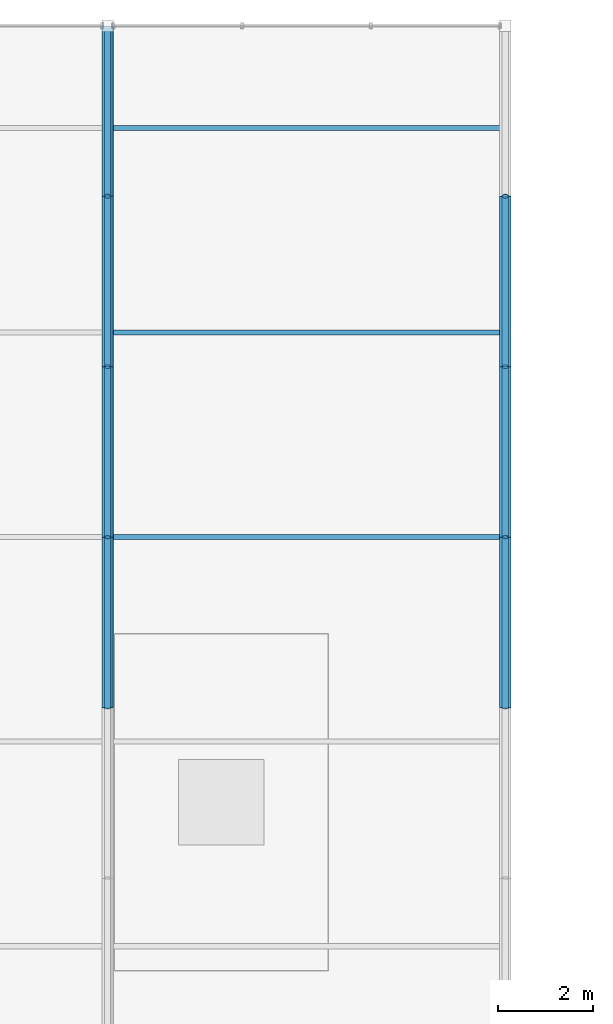
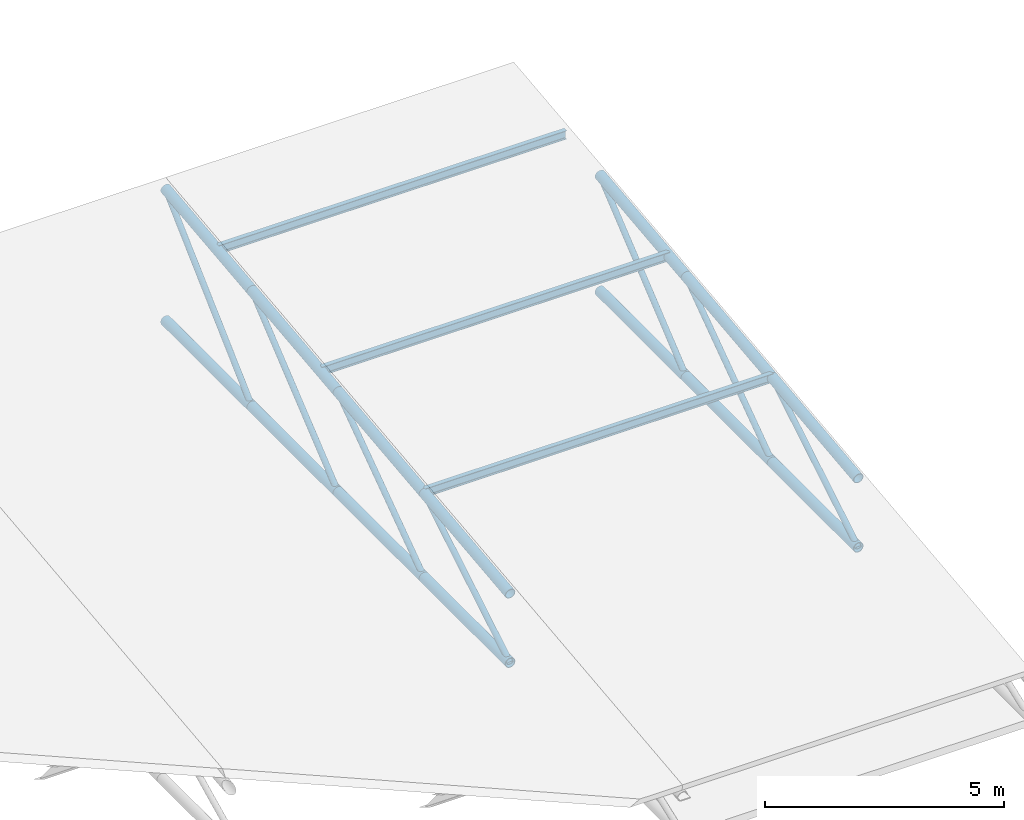
# One storey, part 52 of 77: 21 members, 3 beams.
"""IFC4 building model written with IfcOpenShell, lengths in metres."""

from ifc_helpers import new_model, si_unit, derived_unit, direction, frame, origin, origin_2d, place, context, subcontext, project, spatial, hollow_circle, i_section, extrude, material, material_profile, profile_set, type_object, element, save


model = new_model("IFC4")

# Units and contexts
model_context = context("Model", 3, precision=1e-05, world=origin(), true_north=direction((0.0, 1.0)))
body_context = subcontext(model_context, "Body", "Model", "MODEL_VIEW")
ifc_project = project(units=[si_unit("LENGTHUNIT", "METRE"), si_unit("AREAUNIT", "SQUARE_METRE"), si_unit("VOLUMEUNIT", "CUBIC_METRE"), si_unit("PLANEANGLEUNIT", "RADIAN"), si_unit("MASSUNIT", "GRAM", prefix="KILO"), derived_unit("THERMALTRANSMITTANCEUNIT", [(si_unit("MASSUNIT", "GRAM", prefix="KILO"), 1), (si_unit("TIMEUNIT", "SECOND"), -3), (si_unit("THERMODYNAMICTEMPERATUREUNIT", "KELVIN"), -1)])], contexts=[model_context])

# Site, building, storey
site_placement = place(None, origin())
site = spatial("IfcSite", under=ifc_project, at=site_placement, CompositionType="ELEMENT")
building_placement = place(site_placement, origin())
building = spatial("IfcBuilding", under=site, at=building_placement, Name="Kharveza Railside Sports Centre", CompositionType="ELEMENT")
storey_placement = place(building_placement, frame((0.0, 0.0, 17.10009765625)))
storey = spatial("IfcBuildingStorey", under=building, at=storey_placement, Name="L04", CompositionType="ELEMENT", Elevation=17.10009765625)

# Beams
ifc_material_1 = material(Name="Steel S275JR", Category="steel")
ifc_material_profile_1 = material_profile(ifc_material_1, i_section(OverallWidth=0.110107421875, OverallDepth=0.219970703125, WebThickness=0.005859375, FlangeThickness=0.00927734375, FilletRadius=0.011962890625, at=origin_2d()), Name="IPE 220")
ifc_profile_set_1 = profile_set([ifc_material_profile_1], Name="Steel S275JR")
beam_type = type_object("IfcBeamType", Name="BM-J02", PredefinedType="JOIST", material=ifc_profile_set_1)
for number, where, z_axis, x_axis, name in (
    (1, (16.800048828125, 97.199951171875, 2.1748046875), (1.0, 0.0, 0.0), (0.0, 1.0, 0.0), "BM-V3PUR-3-3"),
    (2, (16.800048828125, 101.52001953125, 2.65478515625), (1.0, 0.0, 0.0), (0.0, 1.0, 0.0), "BM-V3PUR-3-4"),
    (3, (16.800048828125, 105.840087890625, 3.135009765625), (1.0, 0.0, 0.0), (0.0, 1.0, 0.0), "BM-V3PUR-3-5"),
):
    element("IfcBeam", number, at=place(storey_placement, frame(where, z_axis=z_axis, x_axis=x_axis)), inside=storey, type_object=beam_type, Name=name, PredefinedType="JOIST", context=body_context, shape_type="SweptSolid", body=[
        extrude(i_section(OverallWidth=0.110107421875, OverallDepth=0.219970703125, WebThickness=0.005859375, FlangeThickness=0.00927734375, FilletRadius=0.011962890625, at=origin_2d()), origin(), (0.0, 0.0, 1.0), 8.39990234375),
    ])

# Members
ifc_material_2 = material(Name="Steel S355J2", Category="steel")
ifc_material_profile_2 = material_profile(ifc_material_2, hollow_circle(Radius=0.122314453125, WallThickness=0.012451171875, at=origin_2d()), Name="CHS 244.5x12.5")
ifc_profile_set_2 = profile_set([ifc_material_profile_2], Name="Steel S355J2")
member_type_1 = type_object("IfcMemberType", Name="MB-CH04", PredefinedType="CHORD", material=ifc_profile_set_2)
member_1_placement = place(storey_placement, frame((16.800048828125, 93.60009765625, 0.0), z_axis=(0.0, 1.0, 0.0), x_axis=(-1.0, 0.0, 0.0)))
element("IfcMember", 4, at=member_1_placement, inside=storey, type_object=member_type_1, Name="MB-V3TR-BC-3-3", PredefinedType="CHORD", context=body_context, shape_type="SweptSolid", body=[
    extrude(hollow_circle(Radius=0.122314453125, WallThickness=0.012451171875, at=origin_2d()), origin(), (0.0, 0.0, 1.0), 3.599853515625),
])
member_2_placement = place(storey_placement, frame((16.800048828125, 93.60009765625, 1.760009765625), z_axis=(0.0, 0.993886200461, 0.11040933173), x_axis=(-1.0, 0.0, 0.0)))
element("IfcMember", 5, at=member_2_placement, inside=storey, type_object=member_type_1, Name="MB-V3TR-TC-3-3", PredefinedType="CHORD", context=body_context, shape_type="SweptSolid", body=[
    extrude(hollow_circle(Radius=0.122314453125, WallThickness=0.012451171875, at=origin_2d()), origin(), (0.0, 0.0, 1.0), 3.6220703125),
])
member_3_placement = place(storey_placement, frame((16.800048828125, 97.199951171875, 0.0), z_axis=(0.0, 1.0, 0.0), x_axis=(-1.0, 0.0, 0.0)))
element("IfcMember", 6, at=member_3_placement, inside=storey, type_object=member_type_1, Name="MB-V3TR-BC-3-4", PredefinedType="CHORD", context=body_context, shape_type="SweptSolid", body=[
    extrude(hollow_circle(Radius=0.122314453125, WallThickness=0.012451171875, at=origin_2d()), origin(), (0.0, 0.0, 1.0), 3.60009765625),
])
member_4_placement = place(storey_placement, frame((16.800048828125, 97.199951171875, 2.159912109375), z_axis=(0.0, 0.99388702206, 0.110401935585), x_axis=(-1.0, 0.0, 0.0)))
element("IfcMember", 7, at=member_4_placement, inside=storey, type_object=member_type_1, Name="MB-V3TR-TC-3-4", PredefinedType="CHORD", context=body_context, shape_type="SweptSolid", body=[
    extrude(hollow_circle(Radius=0.122314453125, WallThickness=0.012451171875, at=origin_2d()), origin(), (0.0, 0.0, 1.0), 3.622314453125),
])
member_5_placement = place(storey_placement, frame((16.800048828125, 100.800048828125, 0.0), z_axis=(0.0, 1.0, 0.0), x_axis=(-1.0, 0.0, 0.0)))
element("IfcMember", 8, at=member_5_placement, inside=storey, type_object=member_type_1, Name="MB-V3TR-BC-3-5", PredefinedType="CHORD", context=body_context, shape_type="SweptSolid", body=[
    extrude(hollow_circle(Radius=0.122314453125, WallThickness=0.012451171875, at=origin_2d()), origin(), (0.0, 0.0, 1.0), 3.599853515625),
])
member_6_placement = place(storey_placement, frame((16.800048828125, 100.800048828125, 2.559814453125), z_axis=(0.0, 0.993878801649, 0.110475914269), x_axis=(-1.0, 0.0, 0.0)))
element("IfcMember", 9, at=member_6_placement, inside=storey, type_object=member_type_1, Name="MB-V3TR-TC-3-5", PredefinedType="CHORD", context=body_context, shape_type="SweptSolid", body=[
    extrude(hollow_circle(Radius=0.122314453125, WallThickness=0.012451171875, at=origin_2d()), origin(), (0.0, 0.0, 1.0), 3.6220703125),
])
member_7_placement = place(storey_placement, frame((16.800048828125, 104.39990234375, 0.0), z_axis=(0.0, 1.0, 0.0), x_axis=(-1.0, 0.0, 0.0)))
element("IfcMember", 10, at=member_7_placement, inside=storey, type_object=member_type_1, Name="MB-V3TR-BC-3-6", PredefinedType="CHORD", context=body_context, shape_type="SweptSolid", body=[
    extrude(hollow_circle(Radius=0.122314453125, WallThickness=0.012451171875, at=origin_2d()), origin(), (0.0, 0.0, 1.0), 3.60009765625),
])
member_8_placement = place(storey_placement, frame((16.800048828125, 104.39990234375, 2.9599609375), z_axis=(0.0, 0.99388702206, 0.110401935585), x_axis=(-1.0, 0.0, 0.0)))
element("IfcMember", 11, at=member_8_placement, inside=storey, type_object=member_type_1, Name="MB-V3TR-TC-3-6", PredefinedType="CHORD", context=body_context, shape_type="SweptSolid", body=[
    extrude(hollow_circle(Radius=0.122314453125, WallThickness=0.012451171875, at=origin_2d()), origin(), (0.0, 0.0, 1.0), 3.622314453125),
])
member_9_placement = place(storey_placement, frame((25.199951171875, 93.60009765625, 0.0), z_axis=(0.0, 1.0, 0.0), x_axis=(-1.0, 0.0, 0.0)))
element("IfcMember", 12, at=member_9_placement, inside=storey, type_object=member_type_1, Name="MB-V3TR-BC-4-3", PredefinedType="CHORD", context=body_context, shape_type="SweptSolid", body=[
    extrude(hollow_circle(Radius=0.122314453125, WallThickness=0.012451171875, at=origin_2d()), origin(), (0.0, 0.0, 1.0), 3.599853515625),
])
member_10_placement = place(storey_placement, frame((25.199951171875, 93.60009765625, 1.760009765625), z_axis=(0.0, 0.993886200461, 0.11040933173), x_axis=(-1.0, 0.0, 0.0)))
element("IfcMember", 13, at=member_10_placement, inside=storey, type_object=member_type_1, Name="MB-V3TR-TC-4-3", PredefinedType="CHORD", context=body_context, shape_type="SweptSolid", body=[
    extrude(hollow_circle(Radius=0.122314453125, WallThickness=0.012451171875, at=origin_2d()), origin(), (0.0, 0.0, 1.0), 3.6220703125),
])
member_11_placement = place(storey_placement, frame((25.199951171875, 97.199951171875, 0.0), z_axis=(0.0, 1.0, 0.0), x_axis=(-1.0, 0.0, 0.0)))
element("IfcMember", 14, at=member_11_placement, inside=storey, type_object=member_type_1, Name="MB-V3TR-BC-4-4", PredefinedType="CHORD", context=body_context, shape_type="SweptSolid", body=[
    extrude(hollow_circle(Radius=0.122314453125, WallThickness=0.012451171875, at=origin_2d()), origin(), (0.0, 0.0, 1.0), 3.60009765625),
])
member_12_placement = place(storey_placement, frame((25.199951171875, 97.199951171875, 2.159912109375), z_axis=(0.0, 0.99388702206, 0.110401935585), x_axis=(-1.0, 0.0, 0.0)))
element("IfcMember", 15, at=member_12_placement, inside=storey, type_object=member_type_1, Name="MB-V3TR-TC-4-4", PredefinedType="CHORD", context=body_context, shape_type="SweptSolid", body=[
    extrude(hollow_circle(Radius=0.122314453125, WallThickness=0.012451171875, at=origin_2d()), origin(), (0.0, 0.0, 1.0), 3.622314453125),
])
member_13_placement = place(storey_placement, frame((25.199951171875, 100.800048828125, 0.0), z_axis=(0.0, 1.0, 0.0), x_axis=(-1.0, 0.0, 0.0)))
element("IfcMember", 16, at=member_13_placement, inside=storey, type_object=member_type_1, Name="MB-V3TR-BC-4-5", PredefinedType="CHORD", context=body_context, shape_type="SweptSolid", body=[
    extrude(hollow_circle(Radius=0.122314453125, WallThickness=0.012451171875, at=origin_2d()), origin(), (0.0, 0.0, 1.0), 3.599853515625),
])
member_14_placement = place(storey_placement, frame((25.199951171875, 100.800048828125, 2.559814453125), z_axis=(0.0, 0.993878801649, 0.110475914269), x_axis=(-1.0, 0.0, 0.0)))
element("IfcMember", 17, at=member_14_placement, inside=storey, type_object=member_type_1, Name="MB-V3TR-TC-4-5", PredefinedType="CHORD", context=body_context, shape_type="SweptSolid", body=[
    extrude(hollow_circle(Radius=0.122314453125, WallThickness=0.012451171875, at=origin_2d()), origin(), (0.0, 0.0, 1.0), 3.6220703125),
])
ifc_material_profile_3 = material_profile(ifc_material_2, hollow_circle(Radius=0.06982421875, WallThickness=0.008056640625, at=origin_2d()), Name="CHS 139.7x8.0")
ifc_profile_set_3 = profile_set([ifc_material_profile_3], Name="Steel S355J2")
member_type_2 = type_object("IfcMemberType", Name="MB-ST04", PredefinedType="STRUT", material=ifc_profile_set_3)
member_15_placement = place(storey_placement, frame((16.800048828125, 93.60009765625, 0.0), z_axis=(0.0, 0.857492925713, 0.514495755428), x_axis=(-1.0, 0.0, 0.0)))
element("IfcMember", 18, at=member_15_placement, inside=storey, type_object=member_type_2, Name="MB-V3TR-DG-3-3", PredefinedType="STRUT", context=body_context, shape_type="SweptSolid", body=[
    extrude(hollow_circle(Radius=0.06982421875, WallThickness=0.008056640625, at=origin_2d()), origin(), (0.0, 0.0, 1.0), 4.197998046875),
])
member_16_placement = place(storey_placement, frame((16.800048828125, 97.199951171875, 0.0), z_axis=(0.0, 0.814982586094, 0.579485447931), x_axis=(-1.0, 0.0, 0.0)))
element("IfcMember", 19, at=member_16_placement, inside=storey, type_object=member_type_2, Name="MB-V3TR-DG-3-4", PredefinedType="STRUT", context=body_context, shape_type="SweptSolid", body=[
    extrude(hollow_circle(Radius=0.06982421875, WallThickness=0.008056640625, at=origin_2d()), origin(), (0.0, 0.0, 1.0), 4.41748046875),
])
member_17_placement = place(storey_placement, frame((16.800048828125, 100.800048828125, 0.0), z_axis=(0.0, 0.772416919722, 0.635115817885), x_axis=(-1.0, 0.0, 0.0)))
element("IfcMember", 20, at=member_17_placement, inside=storey, type_object=member_type_2, Name="MB-V3TR-DG-3-5", PredefinedType="STRUT", context=body_context, shape_type="SweptSolid", body=[
    extrude(hollow_circle(Radius=0.06982421875, WallThickness=0.008056640625, at=origin_2d()), origin(), (0.0, 0.0, 1.0), 4.660400390625),
])
member_18_placement = place(storey_placement, frame((16.800048828125, 104.39990234375, 0.0), z_axis=(0.0, 0.731078349305, 0.682293519812), x_axis=(-1.0, 0.0, 0.0)))
element("IfcMember", 21, at=member_18_placement, inside=storey, type_object=member_type_2, Name="MB-V3TR-DG-3-6", PredefinedType="STRUT", context=body_context, shape_type="SweptSolid", body=[
    extrude(hollow_circle(Radius=0.06982421875, WallThickness=0.008056640625, at=origin_2d()), origin(), (0.0, 0.0, 1.0), 4.92431640625),
])
member_19_placement = place(storey_placement, frame((25.199951171875, 93.60009765625, 0.0), z_axis=(0.0, 0.857492925713, 0.514495755428), x_axis=(-1.0, 0.0, 0.0)))
element("IfcMember", 22, at=member_19_placement, inside=storey, type_object=member_type_2, Name="MB-V3TR-DG-4-3", PredefinedType="STRUT", context=body_context, shape_type="SweptSolid", body=[
    extrude(hollow_circle(Radius=0.06982421875, WallThickness=0.008056640625, at=origin_2d()), origin(), (0.0, 0.0, 1.0), 4.197998046875),
])
member_20_placement = place(storey_placement, frame((25.199951171875, 97.199951171875, 0.0), z_axis=(0.0, 0.814982586094, 0.579485447931), x_axis=(-1.0, 0.0, 0.0)))
element("IfcMember", 23, at=member_20_placement, inside=storey, type_object=member_type_2, Name="MB-V3TR-DG-4-4", PredefinedType="STRUT", context=body_context, shape_type="SweptSolid", body=[
    extrude(hollow_circle(Radius=0.06982421875, WallThickness=0.008056640625, at=origin_2d()), origin(), (0.0, 0.0, 1.0), 4.41748046875),
])
member_21_placement = place(storey_placement, frame((25.199951171875, 100.800048828125, 0.0), z_axis=(0.0, 0.772416919722, 0.635115817885), x_axis=(-1.0, 0.0, 0.0)))
element("IfcMember", 24, at=member_21_placement, inside=storey, type_object=member_type_2, Name="MB-V3TR-DG-4-5", PredefinedType="STRUT", context=body_context, shape_type="SweptSolid", body=[
    extrude(hollow_circle(Radius=0.06982421875, WallThickness=0.008056640625, at=origin_2d()), origin(), (0.0, 0.0, 1.0), 4.660400390625),
])

save(model, "model.ifc")
